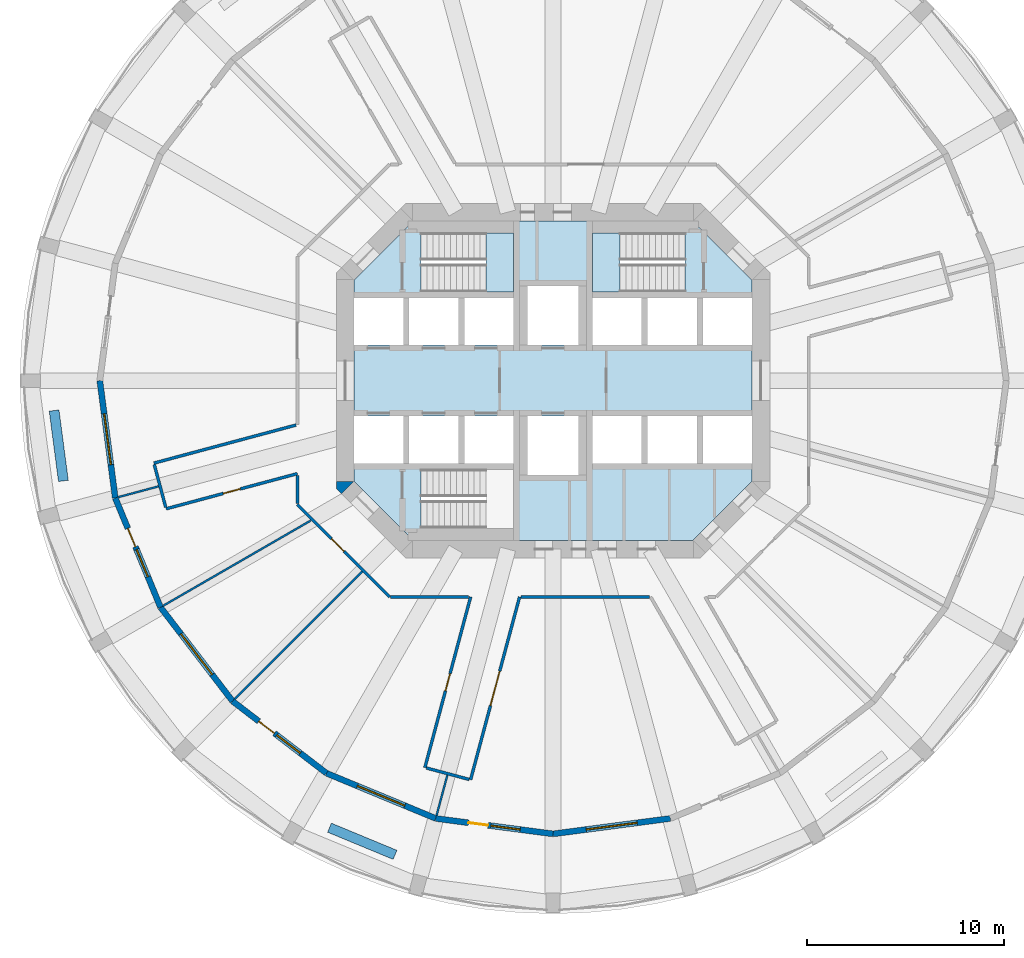
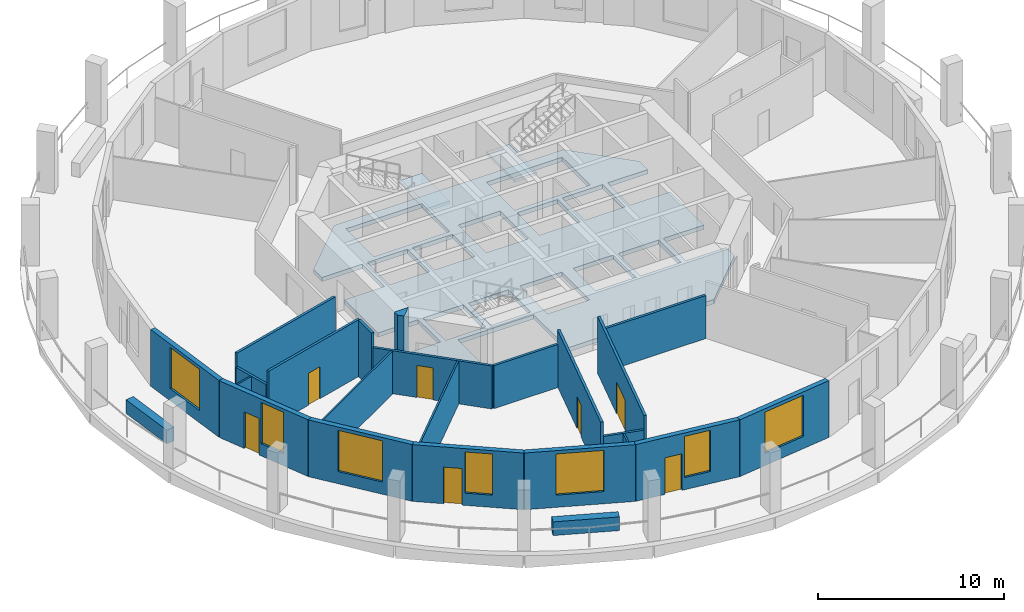
# One storey, part 2 of 9: 24 walls, 7 doors, 7 windows, 3 slabs, 14 openings, 2 elements without a shape of their own.
"""IFC4 building model written with IfcOpenShell, lengths in metres."""

from ifc_helpers import new_model, si_unit, direction, frame, frame_2d, origin, place, context, subcontext, project, spatial, polyline, rectangle, outline, extrude, material, layer, layer_set, type_object, element, fill, aggregate, save


model = new_model("IFC4")

# Units and contexts
model_context = context("Model", 3, precision=1e-05, world=origin(), true_north=direction((0.0, 1.0)))
body_context = subcontext(model_context, "Body", "Model", "MODEL_VIEW")
ifc_project = project(units=[si_unit("LENGTHUNIT", "METRE"), si_unit("AREAUNIT", "SQUARE_METRE"), si_unit("VOLUMEUNIT", "CUBIC_METRE"), si_unit("PLANEANGLEUNIT", "RADIAN"), si_unit("MASSUNIT", "GRAM", prefix="KILO")], contexts=[model_context])

# Site, building, storey
site_placement = place(None, origin())
site = spatial("IfcSite", under=ifc_project, at=site_placement, CompositionType="ELEMENT")
building_placement = place(site_placement, origin())
building = spatial("IfcBuilding", under=site, at=building_placement, Name="Torre Triforio", CompositionType="ELEMENT")
storey_placement = place(building_placement, frame((0.0, 0.0, 67.0)))
storey = spatial("IfcBuildingStorey", under=building, at=storey_placement, Name="L14", CompositionType="ELEMENT", Elevation=67.0)

# Slab
ifc_material_1 = material(Name="Concrete C60", Category="concrete")
ifc_layer_1 = layer(ifc_material_1, 0.280029296875)
ifc_layer_set_1 = layer_set([ifc_layer_1], Name="Concrete C60")
slab_type_1 = type_object("IfcSlabType", Name="Core floor slab 280 mm C60 REI 120", PredefinedType="FLOOR", material=ifc_layer_set_1)
slab_1_placement = place(storey_placement, frame((0.0, 0.0, -0.280029296875)))
element("IfcSlab", 1, at=slab_1_placement, inside=storey, type_object=slab_type_1, Name="Core floor slab", PredefinedType="FLOOR", context=body_context, shape_type="SweptSolid", body=[
    extrude(outline(polyline([(10.10009765625, -5.10009765625), (7.10009765625, -8.10009765625), (-7.10009765625, -8.10009765625), (-10.10009765625, -5.10009765625), (-10.10009765625, -4.199951171875), (-7.60009765625, -4.199951171875), (-7.60009765625, -1.800048828125), (-10.10009765625, -1.800048828125), (-10.10009765625, 1.800048828125), (-7.60009765625, 1.800048828125), (-7.60009765625, 4.199951171875), (-10.10009765625, 4.199951171875), (-10.10009765625, 5.10009765625), (-7.10009765625, 8.10009765625), (7.10009765625, 8.10009765625), (10.10009765625, 5.10009765625), (10.10009765625, 4.199951171875), (7.60009765625, 4.199951171875), (7.60009765625, 1.800048828125), (10.10009765625, 1.800048828125), (10.10009765625, -1.800048828125), (7.60009765625, -1.800048828125), (7.60009765625, -4.199951171875), (10.10009765625, -4.199951171875), (10.10009765625, -5.10009765625)]), holes=[polyline([(-2.0, -4.5), (-6.696044921875, -4.5), (-6.696044921875, -7.5), (-2.0, -7.5), (-2.0, -4.5)]), polyline([(-4.800048828125, -1.800048828125), (-7.300048828125, -1.800048828125), (-7.300048828125, -4.199951171875), (-4.800048828125, -4.199951171875), (-4.800048828125, -1.800048828125)]), polyline([(-2.0, -1.800048828125), (-4.5, -1.800048828125), (-4.5, -4.199951171875), (-2.0, -4.199951171875), (-2.0, -1.800048828125)]), polyline([(-4.800048828125, 4.199951171875), (-7.300048828125, 4.199951171875), (-7.300048828125, 1.800048828125), (-4.800048828125, 1.800048828125), (-4.800048828125, 4.199951171875)]), polyline([(-2.0, 4.199951171875), (-4.5, 4.199951171875), (-4.5, 1.800048828125), (-2.0, 1.800048828125), (-2.0, 4.199951171875)]), polyline([(1.300048828125, 4.800048828125), (-1.300048828125, 4.800048828125), (-1.300048828125, 1.800048828125), (1.300048828125, 1.800048828125), (1.300048828125, 4.800048828125)]), polyline([(-2.0, 7.5), (-6.696044921875, 7.5), (-6.696044921875, 4.5), (-2.0, 4.5), (-2.0, 7.5)]), polyline([(1.300048828125, -1.800048828125), (-1.300048828125, -1.800048828125), (-1.300048828125, -4.800048828125), (1.300048828125, -4.800048828125), (1.300048828125, -1.800048828125)]), polyline([(4.5, -1.800048828125), (2.0, -1.800048828125), (2.0, -4.199951171875), (4.5, -4.199951171875), (4.5, -1.800048828125)]), polyline([(7.300048828125, -1.800048828125), (4.800048828125, -1.800048828125), (4.800048828125, -4.199951171875), (7.300048828125, -4.199951171875), (7.300048828125, -1.800048828125)]), polyline([(4.5, 4.199951171875), (2.0, 4.199951171875), (2.0, 1.800048828125), (4.5, 1.800048828125), (4.5, 4.199951171875)]), polyline([(7.300048828125, 4.199951171875), (4.800048828125, 4.199951171875), (4.800048828125, 1.800048828125), (7.300048828125, 1.800048828125), (7.300048828125, 4.199951171875)]), polyline([(6.696044921875, 4.5), (6.696044921875, 7.5), (2.0, 7.5), (2.0, 4.5), (6.696044921875, 4.5)])]), origin(), (0.0, 0.0, 1.0), 0.280029296875),
])

# Stair, slab
ifc_material_2 = material(Name="Concrete C40", Category="concrete")
stair_type = type_object("IfcStairType", Name="STAIR HALF-TURN", PredefinedType="HALF_TURN_STAIR", material=ifc_material_2)
stair_1_placement = place(storey_placement, origin())
stair_1 = element("IfcStair", 2, at=stair_1_placement, inside=storey, type_object=stair_type, Name="Exit stair 1", PredefinedType="HALF_TURN_STAIR")
ifc_layer_2 = layer(ifc_material_2, 0.199951171875)
ifc_layer_set_2 = layer_set([ifc_layer_2], Name="Concrete C40")
slab_type_2 = type_object("IfcSlabType", Name="STAIR LANDING 200", PredefinedType="LANDING", material=ifc_layer_set_2)
slab_2_placement = place(storey_placement, frame((0.0, 0.0, 1.800048828125)))
slab_2 = element("IfcSlab", 3, at=slab_2_placement, type_object=slab_type_2, Name="ST1 landing 1", PredefinedType="LANDING", context=body_context, shape_type="SweptSolid", body=[
    extrude(outline(polyline([(-2.0, 4.5), (-2.0, 7.5), (-3.39990234375, 7.5), (-3.39990234375, 4.5), (-2.0, 4.5)])), origin(), (0.0, 0.0, 1.0), 0.199951171875),
])
aggregate(stair_1, [slab_2])

stair_2_placement = place(storey_placement, origin())
stair_2 = element("IfcStair", 4, at=stair_2_placement, inside=storey, type_object=stair_type, Name="Exit stair 2", PredefinedType="HALF_TURN_STAIR")
slab_3_placement = place(storey_placement, frame((0.0, 0.0, 1.800048828125)))
slab_3 = element("IfcSlab", 5, at=slab_3_placement, type_object=slab_type_2, Name="ST2 landing 1", PredefinedType="LANDING", context=body_context, shape_type="SweptSolid", body=[
    extrude(outline(polyline([(3.39990234375, 4.5), (3.39990234375, 7.5), (2.0, 7.5), (2.0, 4.5), (3.39990234375, 4.5)])), origin(), (0.0, 0.0, 1.0), 0.199951171875),
])
aggregate(stair_2, [slab_3])

# Walls
ifc_layer_3 = layer(ifc_material_1, 0.89990234375)
ifc_layer_set_3 = layer_set([ifc_layer_3], Name="Concrete C60")
wall_type_1 = type_object("IfcWallType", Name="Core wall 900 mm C60 EI 120", PredefinedType="SHEAR", material=ifc_layer_set_3)
wall_1_placement = place(storey_placement, frame((0.0, 0.0, -0.280029296875)))
element("IfcWall", 6, at=wall_1_placement, inside=storey, type_object=wall_type_1, Name="Core wall", PredefinedType="SHEAR", context=body_context, shape_type="SweptSolid", body=[
    extrude(outline(polyline([(-11.0, -5.472900390625), (-11.0, -5.1298828125), (-10.1298828125, -5.1298828125), (-10.736328125, -5.736328125), (-11.0, -5.472900390625)])), origin(), (0.0, 0.0, 1.0), 4.0),
])
ifc_material_3 = material(Name="Plasterboard on metal studs")
ifc_layer_4 = layer(ifc_material_3, 0.14990234375)
ifc_layer_set_4 = layer_set([ifc_layer_4], Name="Plasterboard on metal studs")
wall_type_2 = type_object("IfcWallType", Name="Corridor and tenancy wall 150 mm EI 60", PredefinedType="PARTITIONING", material=ifc_layer_set_4)
wall_2_placement = place(storey_placement, frame((-19.65380859375, -6.430908203125, 0.0), z_axis=(0.0, 0.0, 1.0), x_axis=(-0.258891558609, 0.965906393436, 0.0)))
element("IfcWall", 7, at=wall_2_placement, inside=storey, type_object=wall_type_2, Name="Partition 1", PredefinedType="PARTITIONING", context=body_context, shape_type="SweptSolid", body=[
    extrude(rectangle(XDim=2.25, YDim=0.14990234375, at=frame_2d((1.125, 0.0))), origin(), (0.0, 0.0, 1.0), 2.820068359375),
])
wall_3_placement = place(storey_placement, frame((-20.255615234375, -4.185302734375, 0.0), z_axis=(0.0, 0.0, 1.0), x_axis=(0.965924840231, 0.258822725092, 0.0)))
element("IfcWall", 8, at=wall_3_placement, inside=storey, type_object=wall_type_2, Name="Partition 2", PredefinedType="PARTITIONING", context=body_context, shape_type="SweptSolid", body=[
    extrude(rectangle(XDim=7.465087890625, YDim=0.14990234375, at=frame_2d((3.732421875, 0.0))), origin(), (0.0, 0.0, 1.0), 3.719970703125),
])
wall_4_placement = place(storey_placement, frame((4.8857421875, -10.97509765625, 0.0), z_axis=(0.0, 0.0, 1.0), x_axis=(-1.0, 0.0, 0.0)))
element("IfcWall", 9, at=wall_4_placement, inside=storey, type_object=wall_type_2, Name="Partition 21", PredefinedType="PARTITIONING", context=body_context, shape_type="SweptSolid", body=[
    extrude(rectangle(XDim=6.51171875, YDim=0.14990234375, at=frame_2d((3.255859375, 0.0))), origin(), (0.0, 0.0, 1.0), 2.820068359375),
])

# Wall, opening, door
wall_5_placement = place(storey_placement, frame((-1.698486328125, -10.97509765625, 0.0), z_axis=(0.0, 0.0, 1.0), x_axis=(-0.258829650889, -0.965922984415, 0.0)))
wall_5 = element("IfcWall", 10, at=wall_5_placement, inside=storey, type_object=wall_type_2, Name="Partition 22", PredefinedType="PARTITIONING", context=body_context, shape_type="SweptSolid", body=[
    extrude(rectangle(XDim=9.60791015625, YDim=0.14990234375, at=frame_2d((4.803955078125, 0.0))), origin(), (0.0, 0.0, 1.0), 3.719970703125),
])
opening_1_placement = place(wall_5_placement, frame((3.904052734375, 0.0, 0.0)))
opening_1 = element("IfcOpeningElement", 11, at=opening_1_placement, cuts=wall_5, Name="Opening N4-05", PredefinedType="OPENING", context=body_context, shape_type="SweptSolid", body=[
    extrude(rectangle(XDim=1.800048828125, YDim=2.10009765625, at=frame_2d((0.89990234375, 1.050048828125))), frame((0.0, 0.0849609375, 0.0), z_axis=(0.0, -1.0, 0.0), x_axis=(1.0, 0.0, 0.0)), (0.0, 0.0, 1.0), 0.169921875),
])
ifc_material_4 = material(Name="Timber", Category="wood")
door_type_1 = type_object("IfcDoorType", Name="Door 1800 x 2100 double leaf EI 30", OperationType="DOUBLE_DOOR_SINGLE_SWING", PredefinedType="DOOR", material=ifc_material_4)
door_1_placement = place(opening_1_placement, origin())
door_1 = element("IfcDoor", 12, at=door_1_placement, inside=storey, type_object=door_type_1, Name="Door N4-05", OperationType="DOUBLE_DOOR_SINGLE_SWING", OverallHeight=2.10009765625, OverallWidth=1.800048828125, PredefinedType="DOOR", context=body_context, shape_type="SweptSolid", body=[
    extrude(rectangle(XDim=1.800048828125, YDim=2.10009765625, at=frame_2d((0.89990234375, 1.050048828125))), frame((0.0, 0.02490234375, 0.0), z_axis=(0.0, -1.0, 0.0), x_axis=(1.0, 0.0, 0.0)), (0.0, 0.0, 1.0), 0.050048828125),
])
fill(opening_1, door_1)

# Wall
wall_6_placement = place(storey_placement, frame((-4.257568359375, -20.236328125, 0.0), z_axis=(0.0, 0.0, 1.0), x_axis=(-0.965906393436, 0.258891558609, 0.0)))
element("IfcWall", 13, at=wall_6_placement, inside=storey, type_object=wall_type_2, Name="Partition 23", PredefinedType="PARTITIONING", context=body_context, shape_type="SweptSolid", body=[
    extrude(rectangle(XDim=2.25, YDim=0.14990234375, at=frame_2d((1.125, 0.0))), origin(), (0.0, 0.0, 1.0), 2.820068359375),
])

# Wall, opening, door
wall_7_placement = place(storey_placement, frame((-6.50341796875, -19.634521484375, 0.0), z_axis=(0.0, 0.0, 1.0), x_axis=(0.258821842436, 0.965925076742, 0.0)))
wall_7 = element("IfcWall", 14, at=wall_7_placement, inside=storey, type_object=wall_type_2, Name="Partition 24", PredefinedType="PARTITIONING", context=body_context, shape_type="SweptSolid", body=[
    extrude(rectangle(XDim=8.96484375, YDim=0.14990234375, at=frame_2d((4.482421875, 0.0))), origin(), (0.0, 0.0, 1.0), 3.719970703125),
])
opening_2_placement = place(wall_7_placement, frame((4.032470703125, 0.0, 0.0)))
opening_2 = element("IfcOpeningElement", 15, at=opening_2_placement, cuts=wall_7, Name="Opening N4-04", PredefinedType="OPENING", context=body_context, shape_type="SweptSolid", body=[
    extrude(rectangle(XDim=0.89990234375, YDim=2.10009765625, at=frame_2d((0.449951171875, 1.050048828125))), frame((0.0, 0.0849609375, 0.0), z_axis=(0.0, -1.0, 0.0), x_axis=(1.0, 0.0, 0.0)), (0.0, 0.0, 1.0), 0.169921875),
])
door_type_2 = type_object("IfcDoorType", Name="Door 900 x 2100 single leaf EI 30", OperationType="NOTDEFINED", PredefinedType="DOOR", material=ifc_material_4)
door_2_placement = place(opening_2_placement, origin())
door_2 = element("IfcDoor", 16, at=door_2_placement, inside=storey, type_object=door_type_2, Name="Door N4-04", OperationType="SINGLE_SWING_RIGHT", OverallHeight=2.10009765625, OverallWidth=0.89990234375, PredefinedType="DOOR", context=body_context, shape_type="SweptSolid", body=[
    extrude(rectangle(XDim=0.89990234375, YDim=2.10009765625, at=frame_2d((0.449951171875, 1.050048828125))), frame((0.0, 0.02490234375, 0.0), z_axis=(0.0, -1.0, 0.0), x_axis=(1.0, 0.0, 0.0)), (0.0, 0.0, 1.0), 0.050048828125),
])
fill(opening_2, door_2)

# Wall
wall_8_placement = place(storey_placement, frame((-4.280517578125, -10.97509765625, 0.0), z_axis=(0.0, 0.0, 1.0), x_axis=(-1.0, 0.0, 0.0)))
element("IfcWall", 17, at=wall_8_placement, inside=storey, type_object=wall_type_2, Name="Partition 25", PredefinedType="PARTITIONING", context=body_context, shape_type="SweptSolid", body=[
    extrude(rectangle(XDim=3.957763671875, YDim=0.14990234375, at=frame_2d((1.97900390625, 0.0))), origin(), (0.0, 0.0, 1.0), 2.820068359375),
])

# Wall, opening, door
wall_9_placement = place(storey_placement, frame((-8.291015625, -10.97509765625, 0.0), z_axis=(0.0, 0.0, 1.0), x_axis=(-0.707106781187, 0.707106781187, 0.0)))
wall_9 = element("IfcWall", 18, at=wall_9_placement, inside=storey, type_object=wall_type_2, Name="Partition 26", PredefinedType="PARTITIONING", context=body_context, shape_type="SweptSolid", body=[
    extrude(rectangle(XDim=6.624267578125, YDim=0.14990234375, at=frame_2d((3.31201171875, 0.0))), origin(), (0.0, 0.0, 1.0), 2.820068359375),
])
opening_3_placement = place(wall_9_placement, frame((3.27392578125, 0.0, 0.0)))
opening_3 = element("IfcOpeningElement", 19, at=opening_3_placement, cuts=wall_9, Name="Opening N4-03", PredefinedType="OPENING", context=body_context, shape_type="SweptSolid", body=[
    extrude(rectangle(XDim=0.89990234375, YDim=2.10009765625, at=frame_2d((0.449951171875, 1.050048828125))), frame((0.0, 0.0849609375, 0.0), z_axis=(0.0, -1.0, 0.0), x_axis=(1.0, 0.0, 0.0)), (0.0, 0.0, 1.0), 0.169921875),
])
door_3_placement = place(opening_3_placement, origin())
door_3 = element("IfcDoor", 20, at=door_3_placement, inside=storey, type_object=door_type_2, Name="Door N4-03", OperationType="SINGLE_SWING_LEFT", OverallHeight=2.10009765625, OverallWidth=0.89990234375, PredefinedType="DOOR", context=body_context, shape_type="SweptSolid", body=[
    extrude(rectangle(XDim=0.89990234375, YDim=2.10009765625, at=frame_2d((0.449951171875, 1.050048828125))), frame((0.0, 0.02490234375, 0.0), z_axis=(0.0, -1.0, 0.0), x_axis=(1.0, 0.0, 0.0)), (0.0, 0.0, 1.0), 0.050048828125),
])
fill(opening_3, door_3)

# Wall
wall_10_placement = place(storey_placement, frame((-12.97509765625, -6.23828125, 0.0), z_axis=(0.0, 0.0, 1.0), x_axis=(0.0, 1.0, 0.0)))
element("IfcWall", 21, at=wall_10_placement, inside=storey, type_object=wall_type_2, Name="Partition 27", PredefinedType="PARTITIONING", context=body_context, shape_type="SweptSolid", body=[
    extrude(rectangle(XDim=1.421875, YDim=0.14990234375, at=frame_2d((0.7109375, 0.0))), origin(), (0.0, 0.0, 1.0), 3.719970703125),
])

# Wall, opening, door
wall_11_placement = place(storey_placement, frame((-12.97509765625, -4.718994140625, 0.0), z_axis=(0.0, 0.0, 1.0), x_axis=(-0.965924499418, -0.258823997003, 0.0)))
wall_11 = element("IfcWall", 22, at=wall_11_placement, inside=storey, type_object=wall_type_2, Name="Partition 28", PredefinedType="PARTITIONING", context=body_context, shape_type="SweptSolid", body=[
    extrude(rectangle(XDim=6.894287109375, YDim=0.14990234375, at=frame_2d((3.447265625, 0.0))), origin(), (0.0, 0.0, 1.0), 3.719970703125),
])
opening_4_placement = place(wall_11_placement, frame((2.997314453125, 0.0, 0.0)))
opening_4 = element("IfcOpeningElement", 23, at=opening_4_placement, cuts=wall_11, Name="Opening N4-02", PredefinedType="OPENING", context=body_context, shape_type="SweptSolid", body=[
    extrude(rectangle(XDim=0.89990234375, YDim=2.10009765625, at=frame_2d((0.449951171875, 1.050048828125))), frame((0.0, 0.0849609375, 0.0), z_axis=(0.0, -1.0, 0.0), x_axis=(1.0, 0.0, 0.0)), (0.0, 0.0, 1.0), 0.169921875),
])
door_4_placement = place(opening_4_placement, origin())
door_4 = element("IfcDoor", 24, at=door_4_placement, inside=storey, type_object=door_type_2, Name="Door N4-02", OperationType="SINGLE_SWING_LEFT", OverallHeight=2.10009765625, OverallWidth=0.89990234375, PredefinedType="DOOR", context=body_context, shape_type="SweptSolid", body=[
    extrude(rectangle(XDim=0.89990234375, YDim=2.10009765625, at=frame_2d((0.449951171875, 1.050048828125))), frame((0.0, 0.02490234375, 0.0), z_axis=(0.0, -1.0, 0.0), x_axis=(1.0, 0.0, 0.0)), (0.0, 0.0, 1.0), 0.050048828125),
])
fill(opening_4, door_4)

# Walls
ifc_layer_5 = layer(ifc_material_3, 0.10009765625)
ifc_layer_set_5 = layer_set([ifc_layer_5], Name="Plasterboard on metal studs")
wall_type_3 = type_object("IfcWallType", Name="Partition 100 mm board on metal studs", PredefinedType="PARTITIONING", material=ifc_layer_set_5)
wall_12_placement = place(storey_placement, frame((-20.017578125, -5.36376953125, 0.0), z_axis=(0.0, 0.0, 1.0), x_axis=(-0.965927422152, -0.258813089189, 0.0)))
element("IfcWall", 25, at=wall_12_placement, inside=storey, type_object=wall_type_3, Name="Partition 33", PredefinedType="PARTITIONING", context=body_context, shape_type="SweptSolid", body=[
    extrude(rectangle(XDim=2.113037109375, YDim=0.10009765625, at=frame_2d((1.056640625, 0.0))), origin(), (0.0, 0.0, 1.0), 2.820068359375),
])
wall_13_placement = place(storey_placement, frame((-12.294189453125, -7.097900390625, 0.0), z_axis=(0.0, 0.0, 1.0), x_axis=(-0.866010547425, -0.500025731086, 0.0)))
element("IfcWall", 26, at=wall_13_placement, inside=storey, type_object=wall_type_3, Name="Partition 34", PredefinedType="PARTITIONING", context=body_context, shape_type="SweptSolid", body=[
    extrude(rectangle(XDim=8.640625, YDim=0.10009765625, at=frame_2d((4.3203125, 0.0))), origin(), (0.0, 0.0, 1.0), 2.820068359375),
])
wall_14_placement = place(storey_placement, frame((-9.68603515625, -9.68603515625, 0.0), z_axis=(0.0, 0.0, 1.0), x_axis=(-0.707106781187, -0.707106781187, 0.0)))
element("IfcWall", 27, at=wall_14_placement, inside=storey, type_object=wall_type_3, Name="Partition 35", PredefinedType="PARTITIONING", context=body_context, shape_type="SweptSolid", body=[
    extrude(rectangle(XDim=9.138427734375, YDim=0.10009765625, at=frame_2d((4.5693359375, 0.0))), origin(), (0.0, 0.0, 1.0), 2.820068359375),
])
wall_15_placement = place(storey_placement, frame((-5.36376953125, -20.017578125, 0.0), z_axis=(0.0, 0.0, 1.0), x_axis=(-0.258813089189, -0.965927422152, 0.0)))
element("IfcWall", 28, at=wall_15_placement, inside=storey, type_object=wall_type_3, Name="Partition 36", PredefinedType="PARTITIONING", context=body_context, shape_type="SweptSolid", body=[
    extrude(rectangle(XDim=2.113037109375, YDim=0.10009765625, at=frame_2d((1.056640625, 0.0))), origin(), (0.0, 0.0, 1.0), 2.820068359375),
])
ifc_material_5 = material(Name="Limestone cladding", Category="masonry")
ifc_layer_6 = layer(ifc_material_5, 0.10009765625)
ifc_layer_7 = layer(ifc_material_2, 0.39990234375)
ifc_layer_set_6 = layer_set([ifc_layer_6, ifc_layer_7], Name="Limestone cladding / Concrete C40")
wall_type_4 = type_object("IfcWallType", Name="Planter wall 500", PredefinedType="PARAPET", material=ifc_layer_set_6)
for number, where, z_axis, x_axis, name in (
    (29, (-25.318603515625, -1.517578125, 0.0), (0.0, 0.0, 1.0), (0.130542222659, -0.991442750795, 0.0), "Planter L14 bay 13"),
    (30, (-11.344970703125, -22.685302734375, 0.0), (0.0, 0.0, 1.0), (0.923885420167, -0.382669217998, 0.0), "Planter L14 bay 17"),
):
    element("IfcWall", number, at=place(storey_placement, frame(where, z_axis=z_axis, x_axis=x_axis)), inside=storey, type_object=wall_type_4, Name=name, PredefinedType="PARAPET", context=body_context, shape_type="SweptSolid", body=[
        extrude(rectangle(XDim=3.60009765625, YDim=0.5, at=frame_2d((1.800048828125, 0.0))), origin(), (0.0, 0.0, 1.0), 0.89990234375),
    ])

# Wall, opening, window
ifc_layer_8 = layer(ifc_material_5, 0.10009765625)
ifc_layer_9 = layer(ifc_material_2, 0.199951171875)
ifc_layer_set_7 = layer_set([ifc_layer_8, ifc_layer_9], Name="Limestone cladding / Concrete C40")
wall_type_5 = type_object("IfcWallType", Name="Stone-faced composite wall 300", PredefinedType="STANDARD", material=ifc_layer_set_7)
wall_16_placement = place(storey_placement, frame((-23.0, 0.0, 0.0), z_axis=(0.0, 0.0, 1.0), x_axis=(0.130522880875, -0.991445297315, 0.0)))
wall_16 = element("IfcWall", 31, at=wall_16_placement, inside=storey, type_object=wall_type_5, Name="External wall L14 bay 13", PredefinedType="STANDARD", context=body_context, shape_type="SweptSolid", body=[
    extrude(rectangle(XDim=6.004150390625, YDim=0.300048828125, at=frame_2d((3.001953125, 0.0))), origin(), (0.0, 0.0, 1.0), 3.719970703125),
])
opening_5_placement = place(wall_16_placement, frame((1.7021484375, 0.0, 0.800048828125)))
opening_5 = element("IfcOpeningElement", 32, at=opening_5_placement, cuts=wall_16, Name="Opening N4-W13", PredefinedType="OPENING", context=body_context, shape_type="SweptSolid", body=[
    extrude(rectangle(XDim=2.60009765625, YDim=2.699951171875, at=frame_2d((1.300048828125, 1.35009765625))), frame((0.0, 0.159912109375, 0.0), z_axis=(0.0, -1.0, 0.0), x_axis=(1.0, 0.0, 0.0)), (0.0, 0.0, 1.0), 0.320068359375),
])
ifc_material_6 = material(Name="Aluminium frame with clear double glazing", Category="aluminium")
window_type_1 = type_object("IfcWindowType", Name="Punched window 2600 x 2700", PartitioningType="DOUBLE_PANEL_VERTICAL", PredefinedType="WINDOW", material=ifc_material_6)
window_1_placement = place(opening_5_placement, origin())
window_1 = element("IfcWindow", 33, at=window_1_placement, inside=storey, type_object=window_type_1, Name="Window EWN2 L14 bay 13", OverallHeight=2.699951171875, OverallWidth=2.60009765625, PartitioningType="SINGLE_PANEL", PredefinedType="WINDOW", context=body_context, shape_type="SweptSolid", body=[
    extrude(rectangle(XDim=2.60009765625, YDim=2.699951171875, at=frame_2d((1.300048828125, 1.35009765625))), frame((0.0, 0.030029296875, 0.0), z_axis=(0.0, -1.0, 0.0), x_axis=(1.0, 0.0, 0.0)), (0.0, 0.0, 1.0), 0.06005859375),
])
fill(opening_5, window_1)

# Wall, openings, door, window
wall_17_placement = place(storey_placement, frame((-22.21630859375, -5.952880859375, 0.0), z_axis=(0.0, 0.0, 1.0), x_axis=(0.382671411433, -0.923884511653, 0.0)))
wall_17 = element("IfcWall", 34, at=wall_17_placement, inside=storey, type_object=wall_type_5, Name="External wall L14 bay 14", PredefinedType="STANDARD", context=body_context, shape_type="SweptSolid", body=[
    extrude(rectangle(XDim=6.004150390625, YDim=0.300048828125, at=frame_2d((3.001953125, 0.0))), origin(), (0.0, 0.0, 1.0), 3.719970703125),
])
opening_6_placement = place(wall_17_placement, frame((1.677001953125, 0.0, 0.0)))
opening_6 = element("IfcOpeningElement", 35, at=opening_6_placement, cuts=wall_17, Name="Opening N4-D14", PredefinedType="OPENING", context=body_context, shape_type="SweptSolid", body=[
    extrude(rectangle(XDim=1.0, YDim=2.39990234375, at=frame_2d((0.5, 1.199951171875))), frame((0.0, 0.159912109375, 0.0), z_axis=(0.0, -1.0, 0.0), x_axis=(1.0, 0.0, 0.0)), (0.0, 0.0, 1.0), 0.320068359375),
])
opening_7_placement = place(wall_17_placement, frame((2.8271484375, 0.0, 0.800048828125)))
opening_7 = element("IfcOpeningElement", 36, at=opening_7_placement, cuts=wall_17, Name="Opening N4-W14A", PredefinedType="OPENING", context=body_context, shape_type="SweptSolid", body=[
    extrude(rectangle(XDim=1.5, YDim=2.699951171875, at=frame_2d((0.75, 1.35009765625))), frame((0.0, 0.159912109375, 0.0), z_axis=(0.0, -1.0, 0.0), x_axis=(1.0, 0.0, 0.0)), (0.0, 0.0, 1.0), 0.320068359375),
])
door_type_3 = type_object("IfcDoorType", Name="Loggia door 1000 x 2400", OperationType="NOTDEFINED", PredefinedType="DOOR", material=ifc_material_6)
door_5_placement = place(opening_6_placement, origin())
door_5 = element("IfcDoor", 37, at=door_5_placement, inside=storey, type_object=door_type_3, Name="Loggia door L14 bay 14", OperationType="SINGLE_SWING_LEFT", OverallHeight=2.39990234375, OverallWidth=1.0, PredefinedType="DOOR", context=body_context, shape_type="SweptSolid", body=[
    extrude(rectangle(XDim=1.0, YDim=2.39990234375, at=frame_2d((0.5, 1.199951171875))), frame((0.0, 0.02490234375, 0.0), z_axis=(0.0, -1.0, 0.0), x_axis=(1.0, 0.0, 0.0)), (0.0, 0.0, 1.0), 0.050048828125),
])
fill(opening_6, door_5)
window_type_2 = type_object("IfcWindowType", Name="Side window 1500 x 2700", PartitioningType="SINGLE_PANEL", PredefinedType="WINDOW", material=ifc_material_6)
window_2_placement = place(opening_7_placement, origin())
window_2 = element("IfcWindow", 38, at=window_2_placement, inside=storey, type_object=window_type_2, Name="Side window EWN12 L14 bay 14", OverallHeight=2.699951171875, OverallWidth=1.5, PartitioningType="SINGLE_PANEL", PredefinedType="WINDOW", context=body_context, shape_type="SweptSolid", body=[
    extrude(rectangle(XDim=1.5, YDim=2.699951171875, at=frame_2d((0.75, 1.35009765625))), frame((0.0, 0.030029296875, 0.0), z_axis=(0.0, -1.0, 0.0), x_axis=(1.0, 0.0, 0.0)), (0.0, 0.0, 1.0), 0.06005859375),
])
fill(opening_7, window_2)

# Wall, opening, window
wall_18_placement = place(storey_placement, frame((-19.918701171875, -11.5, 0.0), z_axis=(0.0, 0.0, 1.0), x_axis=(0.608778912074, -0.793339924758, 0.0)))
wall_18 = element("IfcWall", 39, at=wall_18_placement, inside=storey, type_object=wall_type_5, Name="External wall L14 bay 15", PredefinedType="STANDARD", context=body_context, shape_type="SweptSolid", body=[
    extrude(rectangle(XDim=6.004150390625, YDim=0.300048828125, at=frame_2d((3.001953125, 0.0))), origin(), (0.0, 0.0, 1.0), 3.719970703125),
])
opening_8_placement = place(wall_18_placement, frame((1.7021484375, 0.0, 0.800048828125)))
opening_8 = element("IfcOpeningElement", 40, at=opening_8_placement, cuts=wall_18, Name="Opening N4-W15", PredefinedType="OPENING", context=body_context, shape_type="SweptSolid", body=[
    extrude(rectangle(XDim=2.60009765625, YDim=2.699951171875, at=frame_2d((1.300048828125, 1.35009765625))), frame((0.0, 0.159912109375, 0.0), z_axis=(0.0, -1.0, 0.0), x_axis=(1.0, 0.0, 0.0)), (0.0, 0.0, 1.0), 0.320068359375),
])
window_3_placement = place(opening_8_placement, origin())
window_3 = element("IfcWindow", 41, at=window_3_placement, inside=storey, type_object=window_type_1, Name="Window EWN2 L14 bay 15", OverallHeight=2.699951171875, OverallWidth=2.60009765625, PartitioningType="SINGLE_PANEL", PredefinedType="WINDOW", context=body_context, shape_type="SweptSolid", body=[
    extrude(rectangle(XDim=2.60009765625, YDim=2.699951171875, at=frame_2d((1.300048828125, 1.35009765625))), frame((0.0, 0.030029296875, 0.0), z_axis=(0.0, -1.0, 0.0), x_axis=(1.0, 0.0, 0.0)), (0.0, 0.0, 1.0), 0.06005859375),
])
fill(opening_8, window_3)

# Wall, openings, door, window
wall_19_placement = place(storey_placement, frame((-16.263427734375, -16.263427734375, 0.0), z_axis=(0.0, 0.0, 1.0), x_axis=(0.793339924758, -0.608778912074, 0.0)))
wall_19 = element("IfcWall", 42, at=wall_19_placement, inside=storey, type_object=wall_type_5, Name="External wall L14 bay 16", PredefinedType="STANDARD", context=body_context, shape_type="SweptSolid", body=[
    extrude(rectangle(XDim=6.004150390625, YDim=0.300048828125, at=frame_2d((3.001953125, 0.0))), origin(), (0.0, 0.0, 1.0), 3.719970703125),
])
opening_9_placement = place(wall_19_placement, frame((1.677001953125, 0.0, 0.0)))
opening_9 = element("IfcOpeningElement", 43, at=opening_9_placement, cuts=wall_19, Name="Opening N4-D16", PredefinedType="OPENING", context=body_context, shape_type="SweptSolid", body=[
    extrude(rectangle(XDim=1.0, YDim=2.39990234375, at=frame_2d((0.5, 1.199951171875))), frame((0.0, 0.159912109375, 0.0), z_axis=(0.0, -1.0, 0.0), x_axis=(1.0, 0.0, 0.0)), (0.0, 0.0, 1.0), 0.320068359375),
])
opening_10_placement = place(wall_19_placement, frame((2.8271484375, 0.0, 0.800048828125)))
opening_10 = element("IfcOpeningElement", 44, at=opening_10_placement, cuts=wall_19, Name="Opening N4-W16A", PredefinedType="OPENING", context=body_context, shape_type="SweptSolid", body=[
    extrude(rectangle(XDim=1.5, YDim=2.699951171875, at=frame_2d((0.75, 1.35009765625))), frame((0.0, 0.159912109375, 0.0), z_axis=(0.0, -1.0, 0.0), x_axis=(1.0, 0.0, 0.0)), (0.0, 0.0, 1.0), 0.320068359375),
])
door_6_placement = place(opening_9_placement, origin())
door_6 = element("IfcDoor", 45, at=door_6_placement, inside=storey, type_object=door_type_3, Name="Loggia door L14 bay 16", OperationType="SINGLE_SWING_LEFT", OverallHeight=2.39990234375, OverallWidth=1.0, PredefinedType="DOOR", context=body_context, shape_type="SweptSolid", body=[
    extrude(rectangle(XDim=1.0, YDim=2.39990234375, at=frame_2d((0.5, 1.199951171875))), frame((0.0, 0.02490234375, 0.0), z_axis=(0.0, -1.0, 0.0), x_axis=(1.0, 0.0, 0.0)), (0.0, 0.0, 1.0), 0.050048828125),
])
fill(opening_9, door_6)
window_4_placement = place(opening_10_placement, origin())
window_4 = element("IfcWindow", 46, at=window_4_placement, inside=storey, type_object=window_type_2, Name="Side window EWN12 L14 bay 16", OverallHeight=2.699951171875, OverallWidth=1.5, PartitioningType="SINGLE_PANEL", PredefinedType="WINDOW", context=body_context, shape_type="SweptSolid", body=[
    extrude(rectangle(XDim=1.5, YDim=2.699951171875, at=frame_2d((0.75, 1.35009765625))), frame((0.0, 0.030029296875, 0.0), z_axis=(0.0, -1.0, 0.0), x_axis=(1.0, 0.0, 0.0)), (0.0, 0.0, 1.0), 0.06005859375),
])
fill(opening_10, window_4)

# Wall, opening, window
wall_20_placement = place(storey_placement, frame((-11.5, -19.918701171875, 0.0), z_axis=(0.0, 0.0, 1.0), x_axis=(0.923884511653, -0.382671411433, 0.0)))
wall_20 = element("IfcWall", 47, at=wall_20_placement, inside=storey, type_object=wall_type_5, Name="External wall L14 bay 17", PredefinedType="STANDARD", context=body_context, shape_type="SweptSolid", body=[
    extrude(rectangle(XDim=6.004150390625, YDim=0.300048828125, at=frame_2d((3.001953125, 0.0))), origin(), (0.0, 0.0, 1.0), 3.719970703125),
])
opening_11_placement = place(wall_20_placement, frame((1.7021484375, 0.0, 0.800048828125)))
opening_11 = element("IfcOpeningElement", 48, at=opening_11_placement, cuts=wall_20, Name="Opening N4-W17", PredefinedType="OPENING", context=body_context, shape_type="SweptSolid", body=[
    extrude(rectangle(XDim=2.60009765625, YDim=2.699951171875, at=frame_2d((1.300048828125, 1.35009765625))), frame((0.0, 0.159912109375, 0.0), z_axis=(0.0, -1.0, 0.0), x_axis=(1.0, 0.0, 0.0)), (0.0, 0.0, 1.0), 0.320068359375),
])
window_5_placement = place(opening_11_placement, origin())
window_5 = element("IfcWindow", 49, at=window_5_placement, inside=storey, type_object=window_type_1, Name="Window EWN2 L14 bay 17", OverallHeight=2.699951171875, OverallWidth=2.60009765625, PartitioningType="SINGLE_PANEL", PredefinedType="WINDOW", context=body_context, shape_type="SweptSolid", body=[
    extrude(rectangle(XDim=2.60009765625, YDim=2.699951171875, at=frame_2d((1.300048828125, 1.35009765625))), frame((0.0, 0.030029296875, 0.0), z_axis=(0.0, -1.0, 0.0), x_axis=(1.0, 0.0, 0.0)), (0.0, 0.0, 1.0), 0.06005859375),
])
fill(opening_11, window_5)

# Wall, openings, door, window
wall_21_placement = place(storey_placement, frame((-5.952880859375, -22.21630859375, 0.0), z_axis=(0.0, 0.0, 1.0), x_axis=(0.991445297315, -0.130522880875, 0.0)))
wall_21 = element("IfcWall", 50, at=wall_21_placement, inside=storey, type_object=wall_type_5, Name="External wall L14 bay 18", PredefinedType="STANDARD", context=body_context, shape_type="SweptSolid", body=[
    extrude(rectangle(XDim=6.004150390625, YDim=0.300048828125, at=frame_2d((3.001953125, 0.0))), origin(), (0.0, 0.0, 1.0), 3.719970703125),
])
opening_12_placement = place(wall_21_placement, frame((1.677001953125, 0.0, 0.0)))
opening_12 = element("IfcOpeningElement", 51, at=opening_12_placement, cuts=wall_21, Name="Opening N4-D18", PredefinedType="OPENING", context=body_context, shape_type="SweptSolid", body=[
    extrude(rectangle(XDim=1.0, YDim=2.39990234375, at=frame_2d((0.5, 1.199951171875))), frame((0.0, 0.159912109375, 0.0), z_axis=(0.0, -1.0, 0.0), x_axis=(1.0, 0.0, 0.0)), (0.0, 0.0, 1.0), 0.320068359375),
])
opening_13_placement = place(wall_21_placement, frame((2.8271484375, 0.0, 0.800048828125)))
opening_13 = element("IfcOpeningElement", 52, at=opening_13_placement, cuts=wall_21, Name="Opening N4-W18A", PredefinedType="OPENING", context=body_context, shape_type="SweptSolid", body=[
    extrude(rectangle(XDim=1.5, YDim=2.699951171875, at=frame_2d((0.75, 1.35009765625))), frame((0.0, 0.159912109375, 0.0), z_axis=(0.0, -1.0, 0.0), x_axis=(1.0, 0.0, 0.0)), (0.0, 0.0, 1.0), 0.320068359375),
])
door_7_placement = place(opening_12_placement, origin())
door_7 = element("IfcDoor", 53, at=door_7_placement, inside=storey, type_object=door_type_3, Name="Loggia door L14 bay 18", OperationType="SINGLE_SWING_LEFT", OverallHeight=2.39990234375, OverallWidth=1.0, PredefinedType="DOOR", context=body_context, shape_type="SweptSolid", body=[
    extrude(rectangle(XDim=1.0, YDim=2.39990234375, at=frame_2d((0.5, 1.199951171875))), frame((0.0, 0.02490234375, 0.0), z_axis=(0.0, -1.0, 0.0), x_axis=(1.0, 0.0, 0.0)), (0.0, 0.0, 1.0), 0.050048828125),
])
fill(opening_12, door_7)
window_6_placement = place(opening_13_placement, origin())
window_6 = element("IfcWindow", 54, at=window_6_placement, inside=storey, type_object=window_type_2, Name="Side window EWN12 L14 bay 18", OverallHeight=2.699951171875, OverallWidth=1.5, PartitioningType="SINGLE_PANEL", PredefinedType="WINDOW", context=body_context, shape_type="SweptSolid", body=[
    extrude(rectangle(XDim=1.5, YDim=2.699951171875, at=frame_2d((0.75, 1.35009765625))), frame((0.0, 0.030029296875, 0.0), z_axis=(0.0, -1.0, 0.0), x_axis=(1.0, 0.0, 0.0)), (0.0, 0.0, 1.0), 0.06005859375),
])
fill(opening_13, window_6)

# Wall, opening, window
wall_22_placement = place(storey_placement, frame((0.0, -23.0, 0.0), z_axis=(0.0, 0.0, 1.0), x_axis=(0.991445297315, 0.130522880875, 0.0)))
wall_22 = element("IfcWall", 55, at=wall_22_placement, inside=storey, type_object=wall_type_5, Name="External wall L14 bay 19", PredefinedType="STANDARD", context=body_context, shape_type="SweptSolid", body=[
    extrude(rectangle(XDim=6.004150390625, YDim=0.300048828125, at=frame_2d((3.001953125, 0.0))), origin(), (0.0, 0.0, 1.0), 3.719970703125),
])
opening_14_placement = place(wall_22_placement, frame((1.7021484375, 0.0, 0.800048828125)))
opening_14 = element("IfcOpeningElement", 56, at=opening_14_placement, cuts=wall_22, Name="Opening N4-W19", PredefinedType="OPENING", context=body_context, shape_type="SweptSolid", body=[
    extrude(rectangle(XDim=2.60009765625, YDim=2.699951171875, at=frame_2d((1.300048828125, 1.35009765625))), frame((0.0, 0.159912109375, 0.0), z_axis=(0.0, -1.0, 0.0), x_axis=(1.0, 0.0, 0.0)), (0.0, 0.0, 1.0), 0.320068359375),
])
window_7_placement = place(opening_14_placement, origin())
window_7 = element("IfcWindow", 57, at=window_7_placement, inside=storey, type_object=window_type_1, Name="Window EWN2 L14 bay 19", OverallHeight=2.699951171875, OverallWidth=2.60009765625, PartitioningType="SINGLE_PANEL", PredefinedType="WINDOW", context=body_context, shape_type="SweptSolid", body=[
    extrude(rectangle(XDim=2.60009765625, YDim=2.699951171875, at=frame_2d((1.300048828125, 1.35009765625))), frame((0.0, 0.030029296875, 0.0), z_axis=(0.0, -1.0, 0.0), x_axis=(1.0, 0.0, 0.0)), (0.0, 0.0, 1.0), 0.06005859375),
])
fill(opening_14, window_7)

save(model, "model.ifc")
